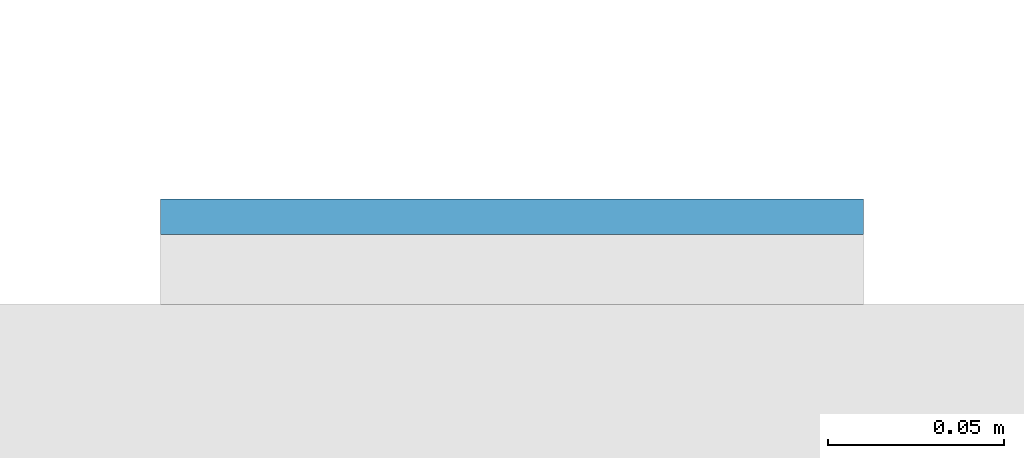
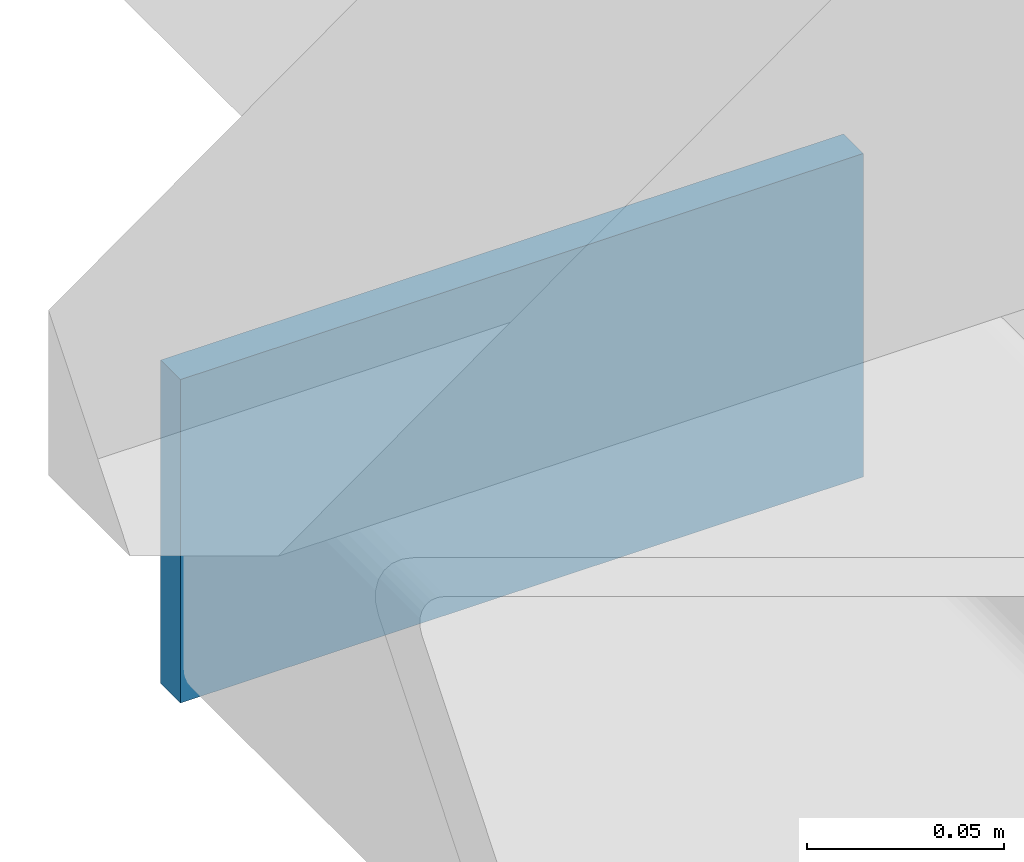
# One storey, part 9 of 20: 1 plate.
"""IFC4 building model written with IfcOpenShell, lengths in metres."""

from ifc_helpers import new_model, si_unit, direction, frame, origin, origin_2d, place, context, subcontext, project, spatial, rectangle, extrude, material, layer, layer_set, type_object, element, save


model = new_model("IFC4")

# Units and contexts
model_context = context("Model", 3, precision=1e-05, world=origin(), true_north=direction((0.0, 1.0)))
body_context = subcontext(model_context, "Body", "Model", "MODEL_VIEW")
ifc_project = project(units=[si_unit("LENGTHUNIT", "METRE"), si_unit("AREAUNIT", "SQUARE_METRE"), si_unit("VOLUMEUNIT", "CUBIC_METRE"), si_unit("PLANEANGLEUNIT", "RADIAN"), si_unit("MASSUNIT", "GRAM", prefix="KILO")], contexts=[model_context])

# Site, building, storey
site_placement = place(None, origin())
site = spatial("IfcSite", under=ifc_project, at=site_placement, CompositionType="ELEMENT")
building_placement = place(site_placement, origin())
building = spatial("IfcBuilding", under=site, at=building_placement, Name="Cleftline Residences", CompositionType="ELEMENT")
storey_placement = place(building_placement, frame((0.0, 0.0, 110.60009765625)))
storey = spatial("IfcBuildingStorey", under=building, at=storey_placement, Name="L28", CompositionType="ELEMENT", Elevation=110.60009765625)

# Plate
ifc_material = material(Name="Steel S355, hot-dip galvanised", Category="steel")
ifc_layer = layer(ifc_material, 0.010009765625)
ifc_layer_set = layer_set([ifc_layer], Name="BAGUETTE CARRIER END PLATE 200X100X10")
plate_type = type_object("IfcPlateType", Name="BAGUETTE CARRIER END PLATE 200X100X10", PredefinedType="USERDEFINED", material=ifc_layer_set)
plate_placement = place(storey_placement, frame((-0.85009765625, 44.304931640625, -0.10009765625), z_axis=(0.0, 0.0, 1.0), x_axis=(-1.0, 0.0, 0.0)))
element("IfcPlate", 1, at=plate_placement, inside=storey, type_object=plate_type, Name="Baguette carrier end plate", ObjectType="BAGUETTE CARRIER END PLATE", PredefinedType="USERDEFINED", context=body_context, shape_type="SweptSolid", body=[
    extrude(rectangle(XDim=0.199951171875, YDim=0.010009765625, at=origin_2d()), origin(), (0.0, 0.0, 1.0), 0.10009765625),
])

save(model, "model.ifc")
